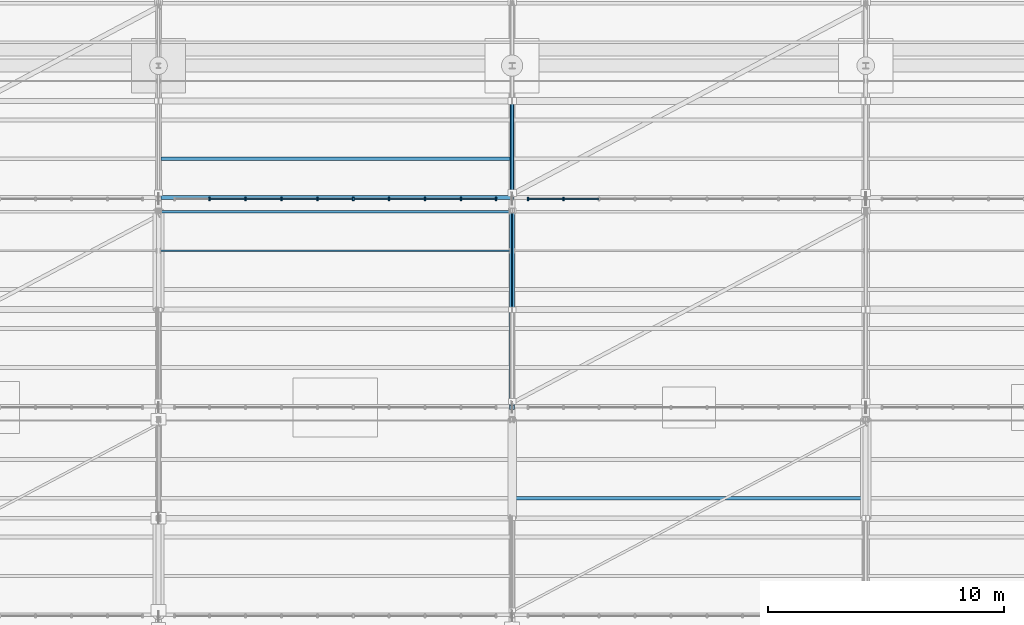
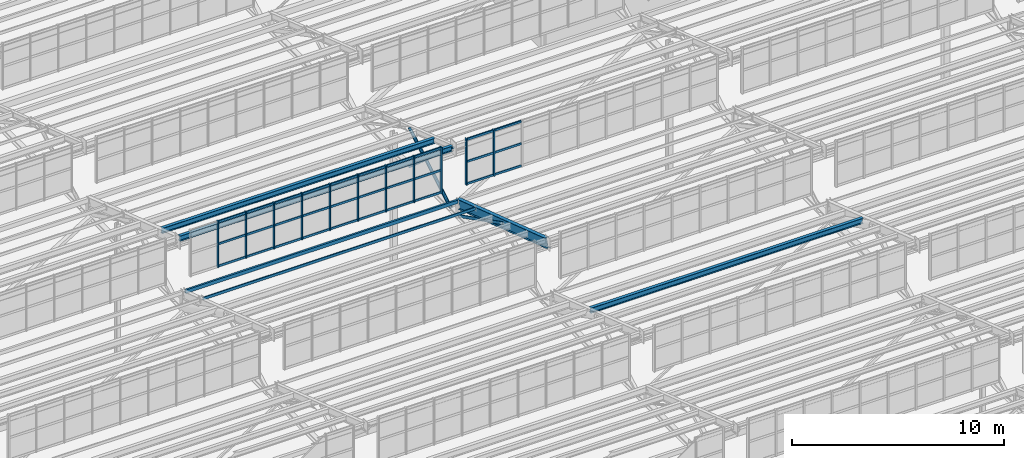
# One storey, part 69 of 285: 44 members, 6 beams, 2 elements without a shape of their own.
"""IFC4 building model written with IfcOpenShell, lengths in metres."""

from ifc_helpers import new_model, si_unit, direction, frame, origin, origin_2d, place, context, subcontext, project, spatial, rectangle, hollow_rectangle, hollow_circle, i_section, extrude, material, material_profile, profile_set, type_object, element, aggregate, save


model = new_model("IFC4")

# Units and contexts
model_context = context("Model", 3, precision=1e-05, world=origin(), true_north=direction((0.0, 1.0)))
body_context = subcontext(model_context, "Body", "Model", "MODEL_VIEW")
ifc_project = project(units=[si_unit("LENGTHUNIT", "METRE"), si_unit("AREAUNIT", "SQUARE_METRE"), si_unit("VOLUMEUNIT", "CUBIC_METRE"), si_unit("PLANEANGLEUNIT", "RADIAN"), si_unit("MASSUNIT", "GRAM", prefix="KILO")], contexts=[model_context])

# Site, building, storey
site_placement = place(None, origin())
site = spatial("IfcSite", under=ifc_project, at=site_placement, CompositionType="ELEMENT")
building_placement = place(site_placement, origin())
building = spatial("IfcBuilding", under=site, at=building_placement, Name="Solanera Park Tramway Depot", CompositionType="ELEMENT")
storey_placement = place(building_placement, origin())
storey = spatial("IfcBuildingStorey", under=building, at=storey_placement, Name="L00", CompositionType="ELEMENT", Elevation=0.0)

# Curtain wall, members
ifc_material_1 = material(Name="Bronze-anodised thermally broken aluminium curtain wall", Category="aluminium")
curtain_wall_type = type_object("IfcCurtainWallType", Name="Sawtooth Clerestory Monitor Curtain Wall", PredefinedType="NOTDEFINED", material=ifc_material_1)
curtain_wall_1_placement = place(storey_placement, origin())
curtain_wall_1 = element("IfcCurtainWall", 1, at=curtain_wall_1_placement, inside=storey, type_object=curtain_wall_type, Name="L00 Sawtooth Clerestory Monitor Curtain Wall #045", PredefinedType="NOTDEFINED")
ifc_material_2 = material(Name="Bronze-anodised structural aluminium 6063-T6", Category="aluminium")
ifc_material_profile_1 = material_profile(ifc_material_2, rectangle(XDim=0.06494140625, YDim=0.14990234375, at=origin_2d()), Name="Curtain Wall Mullion 65x150")
ifc_profile_set_1 = profile_set([ifc_material_profile_1], Name="Bronze-anodised structural aluminium 6063-T6")
member_type_1 = type_object("IfcMemberType", Name="Curtain Wall Mullion 65x150", PredefinedType="MULLION", material=ifc_profile_set_1)
member_1_placement = place(storey_placement, frame((32.172119140625, 108.85009765625, 7.75), z_axis=(0.0, 0.0, 1.0), x_axis=(1.0, 0.0, 0.0)))
member_1 = element("IfcMember", 2, at=member_1_placement, type_object=member_type_1, Name="CW-L00-045 Mullion 2", PredefinedType="MULLION", context=body_context, shape_type="SweptSolid", body=[
    extrude(rectangle(XDim=0.06494140625, YDim=0.14990234375, at=origin_2d()), origin(), (0.0, 0.0, 1.0), 2.6611328125),
])
member_2_placement = place(storey_placement, frame((33.6943359375, 108.85009765625, 7.75), z_axis=(0.0, 0.0, 1.0), x_axis=(1.0, 0.0, 0.0)))
member_2 = element("IfcMember", 3, at=member_2_placement, type_object=member_type_1, Name="CW-L00-045 Mullion 3", PredefinedType="MULLION", context=body_context, shape_type="SweptSolid", body=[
    extrude(rectangle(XDim=0.06494140625, YDim=0.14990234375, at=origin_2d()), origin(), (0.0, 0.0, 1.0), 2.6611328125),
])
member_3_placement = place(storey_placement, frame((35.216796875, 108.85009765625, 7.75), z_axis=(0.0, 0.0, 1.0), x_axis=(1.0, 0.0, 0.0)))
member_3 = element("IfcMember", 4, at=member_3_placement, type_object=member_type_1, Name="CW-L00-045 Mullion 4", PredefinedType="MULLION", context=body_context, shape_type="SweptSolid", body=[
    extrude(rectangle(XDim=0.06494140625, YDim=0.14990234375, at=origin_2d()), origin(), (0.0, 0.0, 1.0), 2.6611328125),
])
member_4_placement = place(storey_placement, frame((36.739013671875, 108.85009765625, 7.75), z_axis=(0.0, 0.0, 1.0), x_axis=(1.0, 0.0, 0.0)))
member_4 = element("IfcMember", 5, at=member_4_placement, type_object=member_type_1, Name="CW-L00-045 Mullion 5", PredefinedType="MULLION", context=body_context, shape_type="SweptSolid", body=[
    extrude(rectangle(XDim=0.06494140625, YDim=0.14990234375, at=origin_2d()), origin(), (0.0, 0.0, 1.0), 2.6611328125),
])
member_5_placement = place(storey_placement, frame((38.260986328125, 108.85009765625, 7.75), z_axis=(0.0, 0.0, 1.0), x_axis=(1.0, 0.0, 0.0)))
member_5 = element("IfcMember", 6, at=member_5_placement, type_object=member_type_1, Name="CW-L00-045 Mullion 6", PredefinedType="MULLION", context=body_context, shape_type="SweptSolid", body=[
    extrude(rectangle(XDim=0.06494140625, YDim=0.14990234375, at=origin_2d()), origin(), (0.0, 0.0, 1.0), 2.6611328125),
])
member_6_placement = place(storey_placement, frame((39.783203125, 108.85009765625, 7.75), z_axis=(0.0, 0.0, 1.0), x_axis=(1.0, 0.0, 0.0)))
member_6 = element("IfcMember", 7, at=member_6_placement, type_object=member_type_1, Name="CW-L00-045 Mullion 7", PredefinedType="MULLION", context=body_context, shape_type="SweptSolid", body=[
    extrude(rectangle(XDim=0.06494140625, YDim=0.14990234375, at=origin_2d()), origin(), (0.0, 0.0, 1.0), 2.6611328125),
])
member_7_placement = place(storey_placement, frame((41.3056640625, 108.85009765625, 7.75), z_axis=(0.0, 0.0, 1.0), x_axis=(1.0, 0.0, 0.0)))
member_7 = element("IfcMember", 8, at=member_7_placement, type_object=member_type_1, Name="CW-L00-045 Mullion 8", PredefinedType="MULLION", context=body_context, shape_type="SweptSolid", body=[
    extrude(rectangle(XDim=0.06494140625, YDim=0.14990234375, at=origin_2d()), origin(), (0.0, 0.0, 1.0), 2.6611328125),
])
member_8_placement = place(storey_placement, frame((42.827880859375, 108.85009765625, 7.75), z_axis=(0.0, 0.0, 1.0), x_axis=(1.0, 0.0, 0.0)))
member_8 = element("IfcMember", 9, at=member_8_placement, type_object=member_type_1, Name="CW-L00-045 Mullion 9", PredefinedType="MULLION", context=body_context, shape_type="SweptSolid", body=[
    extrude(rectangle(XDim=0.06494140625, YDim=0.14990234375, at=origin_2d()), origin(), (0.0, 0.0, 1.0), 2.6611328125),
])
member_9_placement = place(storey_placement, frame((44.3173828125, 108.85009765625, 7.75), z_axis=(0.0, 0.0, 1.0), x_axis=(1.0, 0.0, 0.0)))
member_9 = element("IfcMember", 10, at=member_9_placement, type_object=member_type_1, Name="CW-L00-045 Mullion 10", PredefinedType="MULLION", context=body_context, shape_type="SweptSolid", body=[
    extrude(rectangle(XDim=0.06494140625, YDim=0.14990234375, at=origin_2d()), origin(), (0.0, 0.0, 1.0), 2.6611328125),
])

curtain_wall_2_placement = place(storey_placement, origin())
curtain_wall_2 = element("IfcCurtainWall", 11, at=curtain_wall_2_placement, inside=storey, type_object=curtain_wall_type, Name="L00 Sawtooth Clerestory Monitor Curtain Wall #046", PredefinedType="NOTDEFINED")
member_10_placement = place(storey_placement, frame((45.6826171875, 108.85009765625, 7.75), z_axis=(0.0, 0.0, 1.0), x_axis=(1.0, 0.0, 0.0)))
member_10 = element("IfcMember", 12, at=member_10_placement, type_object=member_type_1, Name="CW-L00-046 Mullion 1", PredefinedType="MULLION", context=body_context, shape_type="SweptSolid", body=[
    extrude(rectangle(XDim=0.06494140625, YDim=0.14990234375, at=origin_2d()), origin(), (0.0, 0.0, 1.0), 2.6611328125),
])
member_11_placement = place(storey_placement, frame((47.172119140625, 108.85009765625, 7.75), z_axis=(0.0, 0.0, 1.0), x_axis=(1.0, 0.0, 0.0)))
member_11 = element("IfcMember", 13, at=member_11_placement, type_object=member_type_1, Name="CW-L00-046 Mullion 2", PredefinedType="MULLION", context=body_context, shape_type="SweptSolid", body=[
    extrude(rectangle(XDim=0.06494140625, YDim=0.14990234375, at=origin_2d()), origin(), (0.0, 0.0, 1.0), 2.6611328125),
])

# Member
ifc_material_3 = material(Name="Bronze-anodised structural aluminium 6063-T6", Category="aluminium")
ifc_material_profile_2 = material_profile(ifc_material_3, rectangle(XDim=0.06494140625, YDim=0.1201171875, at=origin_2d()), Name="Curtain Wall Transom 65x120")
ifc_profile_set_2 = profile_set([ifc_material_profile_2], Name="Bronze-anodised structural aluminium 6063-T6")
member_type_2 = type_object("IfcMemberType", Name="Curtain Wall Transom 65x120", PredefinedType="USERDEFINED", material=ifc_profile_set_2)
member_12_placement = place(storey_placement, frame((32.2001953125, 108.85009765625, 7.81005859375), z_axis=(1.0, 0.0, 0.0), x_axis=(0.0, 1.0, 0.0)))
member_12 = element("IfcMember", 14, at=member_12_placement, type_object=member_type_2, Name="CW-L00-045 Transom R1.C2", ObjectType="TRANSOM", PredefinedType="USERDEFINED", context=body_context, shape_type="SweptSolid", body=[
    extrude(rectangle(XDim=0.06494140625, YDim=0.1201171875, at=origin_2d()), origin(), (0.0, 0.0, 1.0), 1.46630859375),
])

member_13_placement = place(storey_placement, frame((33.722412109375, 108.85009765625, 7.81005859375), z_axis=(1.0, 0.0, 0.0), x_axis=(0.0, 1.0, 0.0)))
member_13 = element("IfcMember", 15, at=member_13_placement, type_object=member_type_2, Name="CW-L00-045 Transom R1.C3", ObjectType="TRANSOM", PredefinedType="USERDEFINED", context=body_context, shape_type="SweptSolid", body=[
    extrude(rectangle(XDim=0.06494140625, YDim=0.1201171875, at=origin_2d()), origin(), (0.0, 0.0, 1.0), 1.46630859375),
])

member_14_placement = place(storey_placement, frame((35.24462890625, 108.85009765625, 7.81005859375), z_axis=(1.0, 0.0, 0.0), x_axis=(0.0, 1.0, 0.0)))
member_14 = element("IfcMember", 16, at=member_14_placement, type_object=member_type_2, Name="CW-L00-045 Transom R1.C4", ObjectType="TRANSOM", PredefinedType="USERDEFINED", context=body_context, shape_type="SweptSolid", body=[
    extrude(rectangle(XDim=0.06494140625, YDim=0.1201171875, at=origin_2d()), origin(), (0.0, 0.0, 1.0), 1.46630859375),
])

member_15_placement = place(storey_placement, frame((36.766845703125, 108.85009765625, 7.81005859375), z_axis=(1.0, 0.0, 0.0), x_axis=(0.0, 1.0, 0.0)))
member_15 = element("IfcMember", 17, at=member_15_placement, type_object=member_type_2, Name="CW-L00-045 Transom R1.C5", ObjectType="TRANSOM", PredefinedType="USERDEFINED", context=body_context, shape_type="SweptSolid", body=[
    extrude(rectangle(XDim=0.06494140625, YDim=0.1201171875, at=origin_2d()), origin(), (0.0, 0.0, 1.0), 1.46630859375),
])

member_16_placement = place(storey_placement, frame((38.2890625, 108.85009765625, 7.81005859375), z_axis=(1.0, 0.0, 0.0), x_axis=(0.0, 1.0, 0.0)))
member_16 = element("IfcMember", 18, at=member_16_placement, type_object=member_type_2, Name="CW-L00-045 Transom R1.C6", ObjectType="TRANSOM", PredefinedType="USERDEFINED", context=body_context, shape_type="SweptSolid", body=[
    extrude(rectangle(XDim=0.06494140625, YDim=0.1201171875, at=origin_2d()), origin(), (0.0, 0.0, 1.0), 1.46630859375),
])

member_17_placement = place(storey_placement, frame((39.811279296875, 108.85009765625, 7.81005859375), z_axis=(1.0, 0.0, 0.0), x_axis=(0.0, 1.0, 0.0)))
member_17 = element("IfcMember", 19, at=member_17_placement, type_object=member_type_2, Name="CW-L00-045 Transom R1.C7", ObjectType="TRANSOM", PredefinedType="USERDEFINED", context=body_context, shape_type="SweptSolid", body=[
    extrude(rectangle(XDim=0.06494140625, YDim=0.1201171875, at=origin_2d()), origin(), (0.0, 0.0, 1.0), 1.46630859375),
])

member_18_placement = place(storey_placement, frame((41.33349609375, 108.85009765625, 7.81005859375), z_axis=(1.0, 0.0, 0.0), x_axis=(0.0, 1.0, 0.0)))
member_18 = element("IfcMember", 20, at=member_18_placement, type_object=member_type_2, Name="CW-L00-045 Transom R1.C8", ObjectType="TRANSOM", PredefinedType="USERDEFINED", context=body_context, shape_type="SweptSolid", body=[
    extrude(rectangle(XDim=0.06494140625, YDim=0.1201171875, at=origin_2d()), origin(), (0.0, 0.0, 1.0), 1.46630859375),
])

member_19_placement = place(storey_placement, frame((42.855712890625, 108.85009765625, 7.81005859375), z_axis=(1.0, 0.0, 0.0), x_axis=(0.0, 1.0, 0.0)))
member_19 = element("IfcMember", 21, at=member_19_placement, type_object=member_type_2, Name="CW-L00-045 Transom R1.C9", ObjectType="TRANSOM", PredefinedType="USERDEFINED", context=body_context, shape_type="SweptSolid", body=[
    extrude(rectangle(XDim=0.06494140625, YDim=0.1201171875, at=origin_2d()), origin(), (0.0, 0.0, 1.0), 1.433837890625),
])

member_20_placement = place(storey_placement, frame((32.2001953125, 108.85009765625, 9.08056640625), z_axis=(1.0, 0.0, 0.0), x_axis=(0.0, 1.0, 0.0)))
member_20 = element("IfcMember", 22, at=member_20_placement, type_object=member_type_2, Name="CW-L00-045 Transom R2.C2", ObjectType="TRANSOM", PredefinedType="USERDEFINED", context=body_context, shape_type="SweptSolid", body=[
    extrude(rectangle(XDim=0.06494140625, YDim=0.1201171875, at=origin_2d()), origin(), (0.0, 0.0, 1.0), 1.46630859375),
])

member_21_placement = place(storey_placement, frame((33.722412109375, 108.85009765625, 9.08056640625), z_axis=(1.0, 0.0, 0.0), x_axis=(0.0, 1.0, 0.0)))
member_21 = element("IfcMember", 23, at=member_21_placement, type_object=member_type_2, Name="CW-L00-045 Transom R2.C3", ObjectType="TRANSOM", PredefinedType="USERDEFINED", context=body_context, shape_type="SweptSolid", body=[
    extrude(rectangle(XDim=0.06494140625, YDim=0.1201171875, at=origin_2d()), origin(), (0.0, 0.0, 1.0), 1.46630859375),
])

member_22_placement = place(storey_placement, frame((35.24462890625, 108.85009765625, 9.08056640625), z_axis=(1.0, 0.0, 0.0), x_axis=(0.0, 1.0, 0.0)))
member_22 = element("IfcMember", 24, at=member_22_placement, type_object=member_type_2, Name="CW-L00-045 Transom R2.C4", ObjectType="TRANSOM", PredefinedType="USERDEFINED", context=body_context, shape_type="SweptSolid", body=[
    extrude(rectangle(XDim=0.06494140625, YDim=0.1201171875, at=origin_2d()), origin(), (0.0, 0.0, 1.0), 1.46630859375),
])

member_23_placement = place(storey_placement, frame((36.766845703125, 108.85009765625, 9.08056640625), z_axis=(1.0, 0.0, 0.0), x_axis=(0.0, 1.0, 0.0)))
member_23 = element("IfcMember", 25, at=member_23_placement, type_object=member_type_2, Name="CW-L00-045 Transom R2.C5", ObjectType="TRANSOM", PredefinedType="USERDEFINED", context=body_context, shape_type="SweptSolid", body=[
    extrude(rectangle(XDim=0.06494140625, YDim=0.1201171875, at=origin_2d()), origin(), (0.0, 0.0, 1.0), 1.46630859375),
])

member_24_placement = place(storey_placement, frame((38.2890625, 108.85009765625, 9.08056640625), z_axis=(1.0, 0.0, 0.0), x_axis=(0.0, 1.0, 0.0)))
member_24 = element("IfcMember", 26, at=member_24_placement, type_object=member_type_2, Name="CW-L00-045 Transom R2.C6", ObjectType="TRANSOM", PredefinedType="USERDEFINED", context=body_context, shape_type="SweptSolid", body=[
    extrude(rectangle(XDim=0.06494140625, YDim=0.1201171875, at=origin_2d()), origin(), (0.0, 0.0, 1.0), 1.46630859375),
])

member_25_placement = place(storey_placement, frame((39.811279296875, 108.85009765625, 9.08056640625), z_axis=(1.0, 0.0, 0.0), x_axis=(0.0, 1.0, 0.0)))
member_25 = element("IfcMember", 27, at=member_25_placement, type_object=member_type_2, Name="CW-L00-045 Transom R2.C7", ObjectType="TRANSOM", PredefinedType="USERDEFINED", context=body_context, shape_type="SweptSolid", body=[
    extrude(rectangle(XDim=0.06494140625, YDim=0.1201171875, at=origin_2d()), origin(), (0.0, 0.0, 1.0), 1.46630859375),
])

member_26_placement = place(storey_placement, frame((41.33349609375, 108.85009765625, 9.08056640625), z_axis=(1.0, 0.0, 0.0), x_axis=(0.0, 1.0, 0.0)))
member_26 = element("IfcMember", 28, at=member_26_placement, type_object=member_type_2, Name="CW-L00-045 Transom R2.C8", ObjectType="TRANSOM", PredefinedType="USERDEFINED", context=body_context, shape_type="SweptSolid", body=[
    extrude(rectangle(XDim=0.06494140625, YDim=0.1201171875, at=origin_2d()), origin(), (0.0, 0.0, 1.0), 1.46630859375),
])

member_27_placement = place(storey_placement, frame((42.855712890625, 108.85009765625, 9.08056640625), z_axis=(1.0, 0.0, 0.0), x_axis=(0.0, 1.0, 0.0)))
member_27 = element("IfcMember", 29, at=member_27_placement, type_object=member_type_2, Name="CW-L00-045 Transom R2.C9", ObjectType="TRANSOM", PredefinedType="USERDEFINED", context=body_context, shape_type="SweptSolid", body=[
    extrude(rectangle(XDim=0.06494140625, YDim=0.1201171875, at=origin_2d()), origin(), (0.0, 0.0, 1.0), 1.433837890625),
])

member_28_placement = place(storey_placement, frame((32.2001953125, 108.85009765625, 10.351318359375), z_axis=(1.0, 0.0, 0.0), x_axis=(0.0, 1.0, 0.0)))
member_28 = element("IfcMember", 30, at=member_28_placement, type_object=member_type_2, Name="CW-L00-045 Transom R3.C2", ObjectType="TRANSOM", PredefinedType="USERDEFINED", context=body_context, shape_type="SweptSolid", body=[
    extrude(rectangle(XDim=0.06494140625, YDim=0.1201171875, at=origin_2d()), origin(), (0.0, 0.0, 1.0), 1.46630859375),
])

member_29_placement = place(storey_placement, frame((33.722412109375, 108.85009765625, 10.351318359375), z_axis=(1.0, 0.0, 0.0), x_axis=(0.0, 1.0, 0.0)))
member_29 = element("IfcMember", 31, at=member_29_placement, type_object=member_type_2, Name="CW-L00-045 Transom R3.C3", ObjectType="TRANSOM", PredefinedType="USERDEFINED", context=body_context, shape_type="SweptSolid", body=[
    extrude(rectangle(XDim=0.06494140625, YDim=0.1201171875, at=origin_2d()), origin(), (0.0, 0.0, 1.0), 1.46630859375),
])

member_30_placement = place(storey_placement, frame((35.24462890625, 108.85009765625, 10.351318359375), z_axis=(1.0, 0.0, 0.0), x_axis=(0.0, 1.0, 0.0)))
member_30 = element("IfcMember", 32, at=member_30_placement, type_object=member_type_2, Name="CW-L00-045 Transom R3.C4", ObjectType="TRANSOM", PredefinedType="USERDEFINED", context=body_context, shape_type="SweptSolid", body=[
    extrude(rectangle(XDim=0.06494140625, YDim=0.1201171875, at=origin_2d()), origin(), (0.0, 0.0, 1.0), 1.46630859375),
])

member_31_placement = place(storey_placement, frame((36.766845703125, 108.85009765625, 10.351318359375), z_axis=(1.0, 0.0, 0.0), x_axis=(0.0, 1.0, 0.0)))
member_31 = element("IfcMember", 33, at=member_31_placement, type_object=member_type_2, Name="CW-L00-045 Transom R3.C5", ObjectType="TRANSOM", PredefinedType="USERDEFINED", context=body_context, shape_type="SweptSolid", body=[
    extrude(rectangle(XDim=0.06494140625, YDim=0.1201171875, at=origin_2d()), origin(), (0.0, 0.0, 1.0), 1.46630859375),
])

member_32_placement = place(storey_placement, frame((38.2890625, 108.85009765625, 10.351318359375), z_axis=(1.0, 0.0, 0.0), x_axis=(0.0, 1.0, 0.0)))
member_32 = element("IfcMember", 34, at=member_32_placement, type_object=member_type_2, Name="CW-L00-045 Transom R3.C6", ObjectType="TRANSOM", PredefinedType="USERDEFINED", context=body_context, shape_type="SweptSolid", body=[
    extrude(rectangle(XDim=0.06494140625, YDim=0.1201171875, at=origin_2d()), origin(), (0.0, 0.0, 1.0), 1.46630859375),
])

member_33_placement = place(storey_placement, frame((39.811279296875, 108.85009765625, 10.351318359375), z_axis=(1.0, 0.0, 0.0), x_axis=(0.0, 1.0, 0.0)))
member_33 = element("IfcMember", 35, at=member_33_placement, type_object=member_type_2, Name="CW-L00-045 Transom R3.C7", ObjectType="TRANSOM", PredefinedType="USERDEFINED", context=body_context, shape_type="SweptSolid", body=[
    extrude(rectangle(XDim=0.06494140625, YDim=0.1201171875, at=origin_2d()), origin(), (0.0, 0.0, 1.0), 1.46630859375),
])

member_34_placement = place(storey_placement, frame((41.33349609375, 108.85009765625, 10.351318359375), z_axis=(1.0, 0.0, 0.0), x_axis=(0.0, 1.0, 0.0)))
member_34 = element("IfcMember", 36, at=member_34_placement, type_object=member_type_2, Name="CW-L00-045 Transom R3.C8", ObjectType="TRANSOM", PredefinedType="USERDEFINED", context=body_context, shape_type="SweptSolid", body=[
    extrude(rectangle(XDim=0.06494140625, YDim=0.1201171875, at=origin_2d()), origin(), (0.0, 0.0, 1.0), 1.46630859375),
])

member_35_placement = place(storey_placement, frame((42.855712890625, 108.85009765625, 10.351318359375), z_axis=(1.0, 0.0, 0.0), x_axis=(0.0, 1.0, 0.0)))
member_35 = element("IfcMember", 37, at=member_35_placement, type_object=member_type_2, Name="CW-L00-045 Transom R3.C9", ObjectType="TRANSOM", PredefinedType="USERDEFINED", context=body_context, shape_type="SweptSolid", body=[
    extrude(rectangle(XDim=0.06494140625, YDim=0.1201171875, at=origin_2d()), origin(), (0.0, 0.0, 1.0), 1.433837890625),
])

aggregate(curtain_wall_1, [member_1, member_2, member_3, member_4, member_5, member_6, member_7, member_8, member_9, member_12, member_13, member_14, member_15, member_16, member_17, member_18, member_19, member_20, member_21, member_22, member_23, member_24, member_25, member_26, member_27, member_28, member_29, member_30, member_31, member_32, member_33, member_34, member_35])

member_36_placement = place(storey_placement, frame((45.71044921875, 108.85009765625, 7.81005859375), z_axis=(1.0, 0.0, 0.0), x_axis=(0.0, 1.0, 0.0)))
member_36 = element("IfcMember", 38, at=member_36_placement, type_object=member_type_2, Name="CW-L00-046 Transom R1.C1", ObjectType="TRANSOM", PredefinedType="USERDEFINED", context=body_context, shape_type="SweptSolid", body=[
    extrude(rectangle(XDim=0.06494140625, YDim=0.1201171875, at=origin_2d()), origin(), (0.0, 0.0, 1.0), 1.433837890625),
])

member_37_placement = place(storey_placement, frame((47.2001953125, 108.85009765625, 7.81005859375), z_axis=(1.0, 0.0, 0.0), x_axis=(0.0, 1.0, 0.0)))
member_37 = element("IfcMember", 39, at=member_37_placement, type_object=member_type_2, Name="CW-L00-046 Transom R1.C2", ObjectType="TRANSOM", PredefinedType="USERDEFINED", context=body_context, shape_type="SweptSolid", body=[
    extrude(rectangle(XDim=0.06494140625, YDim=0.1201171875, at=origin_2d()), origin(), (0.0, 0.0, 1.0), 1.46630859375),
])

member_38_placement = place(storey_placement, frame((45.71044921875, 108.85009765625, 9.08056640625), z_axis=(1.0, 0.0, 0.0), x_axis=(0.0, 1.0, 0.0)))
member_38 = element("IfcMember", 40, at=member_38_placement, type_object=member_type_2, Name="CW-L00-046 Transom R2.C1", ObjectType="TRANSOM", PredefinedType="USERDEFINED", context=body_context, shape_type="SweptSolid", body=[
    extrude(rectangle(XDim=0.06494140625, YDim=0.1201171875, at=origin_2d()), origin(), (0.0, 0.0, 1.0), 1.433837890625),
])

member_39_placement = place(storey_placement, frame((47.2001953125, 108.85009765625, 9.08056640625), z_axis=(1.0, 0.0, 0.0), x_axis=(0.0, 1.0, 0.0)))
member_39 = element("IfcMember", 41, at=member_39_placement, type_object=member_type_2, Name="CW-L00-046 Transom R2.C2", ObjectType="TRANSOM", PredefinedType="USERDEFINED", context=body_context, shape_type="SweptSolid", body=[
    extrude(rectangle(XDim=0.06494140625, YDim=0.1201171875, at=origin_2d()), origin(), (0.0, 0.0, 1.0), 1.46630859375),
])

member_40_placement = place(storey_placement, frame((45.71044921875, 108.85009765625, 10.351318359375), z_axis=(1.0, 0.0, 0.0), x_axis=(0.0, 1.0, 0.0)))
member_40 = element("IfcMember", 42, at=member_40_placement, type_object=member_type_2, Name="CW-L00-046 Transom R3.C1", ObjectType="TRANSOM", PredefinedType="USERDEFINED", context=body_context, shape_type="SweptSolid", body=[
    extrude(rectangle(XDim=0.06494140625, YDim=0.1201171875, at=origin_2d()), origin(), (0.0, 0.0, 1.0), 1.433837890625),
])

member_41_placement = place(storey_placement, frame((47.2001953125, 108.85009765625, 10.351318359375), z_axis=(1.0, 0.0, 0.0), x_axis=(0.0, 1.0, 0.0)))
member_41 = element("IfcMember", 43, at=member_41_placement, type_object=member_type_2, Name="CW-L00-046 Transom R3.C2", ObjectType="TRANSOM", PredefinedType="USERDEFINED", context=body_context, shape_type="SweptSolid", body=[
    extrude(rectangle(XDim=0.06494140625, YDim=0.1201171875, at=origin_2d()), origin(), (0.0, 0.0, 1.0), 1.46630859375),
])

aggregate(curtain_wall_2, [member_10, member_11, member_36, member_37, member_38, member_39, member_40, member_41])

ifc_material_4 = material(Name="Steel AS/NZS 1163 Grade C350L0", Category="steel")
ifc_material_profile_3 = material_profile(ifc_material_4, hollow_circle(Radius=0.084228515625, WallThickness=0.00634765625, at=origin_2d()), Name="168.3x6.4 CHS")
ifc_profile_set_3 = profile_set([ifc_material_profile_3], Name="Steel AS/NZS 1163 Grade C350L0")
member_type_3 = type_object("IfcMemberType", Name="Roof Gantry Compression Strut 168.3x6.4 CHS", PredefinedType="STRUT", material=ifc_profile_set_3)
member_42_placement = place(storey_placement, frame((45.0, 109.10009765625, 6.5), z_axis=(0.0, 0.866884023838, 0.498509868723), x_axis=(-1.0, 0.0, 0.0)))
element("IfcMember", 44, at=member_42_placement, inside=storey, type_object=member_type_3, Name="Sawtooth ROOF TRUSS Strut 168.3x6.4 CHS #0284", PredefinedType="STRUT", context=body_context, shape_type="SweptSolid", body=[
    extrude(hollow_circle(Radius=0.084228515625, WallThickness=0.00634765625, at=origin_2d()), origin(), (0.0, 0.0, 1.0), 4.498779296875),
])

# Beams
ifc_material_5 = material(Name="Steel AS/NZS 3679.1 Grade 350", Category="steel")
ifc_material_profile_4 = material_profile(ifc_material_5, i_section(OverallWidth=0.209228515625, OverallDepth=0.532958984375, WebThickness=0.01025390625, FlangeThickness=0.015625, at=origin_2d()), Name="530UB92.4")
ifc_profile_set_4 = profile_set([ifc_material_profile_4], Name="Steel AS/NZS 3679.1 Grade 350")
beam_type_1 = type_object("IfcBeamType", Name="Steel Beam 530UB92.4", PredefinedType="BEAM", material=ifc_profile_set_4)
beam_1_placement = place(storey_placement, frame((45.0, 100.0, 10.018310546875), z_axis=(0.0, 0.948322229475, -0.317308917435), x_axis=(-1.0, 0.0, 0.0)))
element("IfcBeam", 45, at=beam_1_placement, inside=storey, type_object=beam_type_1, Name="Sawtooth ROOF TRUSS Top Rafter 530UB92.4 B06-T4", PredefinedType="BEAM", context=body_context, shape_type="SweptSolid", body=[
    extrude(i_section(OverallWidth=0.209228515625, OverallDepth=0.532958984375, WebThickness=0.01025390625, FlangeThickness=0.015625, at=origin_2d()), origin(), (0.0, 0.0, 1.0), 8.80517578125),
])
ifc_material_6 = material(Name="Steel AS/NZS 1163 Grade C350L0", Category="steel")
ifc_material_profile_5 = material_profile(ifc_material_6, hollow_rectangle(XDim=0.050048828125, YDim=0.14990234375, WallThickness=0.0048828125, at=origin_2d()), Name="150x50x5.0 RHS")
ifc_profile_set_5 = profile_set([ifc_material_profile_5], Name="Steel AS/NZS 1163 Grade C350L0")
beam_type_2 = type_object("IfcBeamType", Name="Steel Joist Purlin 150x50x5.0 RHS", PredefinedType="JOIST", material=ifc_profile_set_5)
beam_2_placement = place(storey_placement, frame((30.087158203125, 106.64990234375, 7.998291015625), z_axis=(1.0, 0.0, 0.0), x_axis=(0.0, 1.0, 0.0)))
element("IfcBeam", 46, at=beam_2_placement, inside=storey, type_object=beam_type_2, Name="Sawtooth Roof Purlin 150x50x5.0 RHS B06.5", PredefinedType="JOIST", context=body_context, shape_type="SweptSolid", body=[
    extrude(hollow_rectangle(XDim=0.050048828125, YDim=0.14990234375, WallThickness=0.0048828125, at=origin_2d()), origin(), (0.0, 0.0, 1.0), 14.816162109375),
])
ifc_material_7 = material(Name="Steel AS/NZS 1163 Grade C350L0", Category="steel")
ifc_material_profile_6 = material_profile(ifc_material_7, hollow_rectangle(XDim=0.10009765625, YDim=0.199951171875, WallThickness=0.006103515625, at=origin_2d()), Name="200x100x6.0 RHS")
ifc_profile_set_6 = profile_set([ifc_material_profile_6], Name="Steel AS/NZS 1163 Grade C350L0")
beam_type_3 = type_object("IfcBeamType", Name="Steel Joist Purlin 200x100x6.0 RHS", PredefinedType="JOIST", material=ifc_profile_set_6)
beam_3_placement = place(storey_placement, frame((30.087158203125, 108.300048828125, 7.412841796875), z_axis=(1.0, 0.0, 0.0), x_axis=(0.0, 1.0, 0.0)))
element("IfcBeam", 47, at=beam_3_placement, inside=storey, type_object=beam_type_3, Name="Sawtooth Roof Purlin 200x100x6.0 RHS B06.6", PredefinedType="JOIST", context=body_context, shape_type="SweptSolid", body=[
    extrude(hollow_rectangle(XDim=0.10009765625, YDim=0.199951171875, WallThickness=0.006103515625, at=origin_2d()), origin(), (0.0, 0.0, 1.0), 14.816162109375),
])
ifc_material_8 = material(Name="Steel AS/NZS 3679.1 Grade 350", Category="steel")
ifc_material_profile_7 = material_profile(ifc_material_8, i_section(OverallWidth=0.1650390625, OverallDepth=0.3037109375, WebThickness=0.006103515625, FlangeThickness=0.01025390625, at=origin_2d()), Name="310UB40.4")
ifc_profile_set_7 = profile_set([ifc_material_profile_7], Name="Steel AS/NZS 3679.1 Grade 350")
beam_type_4 = type_object("IfcBeamType", Name="Steel Joist Purlin 310UB40.4", PredefinedType="JOIST", material=ifc_profile_set_7)
beam_4_placement = place(storey_placement, frame((30.0966796875, 108.89990234375, 10.110595703125), z_axis=(1.0, 0.0, 0.0), x_axis=(0.0, 1.0, 0.0)))
element("IfcBeam", 48, at=beam_4_placement, inside=storey, type_object=beam_type_4, Name="Sawtooth Roof Purlin 310UB40.4 B07.1", PredefinedType="JOIST", context=body_context, shape_type="SweptSolid", body=[
    extrude(i_section(OverallWidth=0.1650390625, OverallDepth=0.3037109375, WebThickness=0.006103515625, FlangeThickness=0.01025390625, at=origin_2d()), origin(), (0.0, 0.0, 1.0), 14.828369140625),
])
ifc_material_9 = material(Name="Steel AS/NZS 3679.1 Grade 350", Category="steel")
ifc_material_profile_8 = material_profile(ifc_material_9, i_section(OverallWidth=0.166015625, OverallDepth=0.30712890625, WebThickness=0.006591796875, FlangeThickness=0.01171875, at=origin_2d()), Name="310UB46.2")
ifc_profile_set_8 = profile_set([ifc_material_profile_8], Name="Steel AS/NZS 3679.1 Grade 350")
beam_type_5 = type_object("IfcBeamType", Name="Steel Joist Purlin 310UB46.2", PredefinedType="JOIST", material=ifc_profile_set_8)
beam_5_placement = place(storey_placement, frame((45.087158203125, 96.14990234375, 8.452392578125), z_axis=(1.0, 0.0, 0.0), x_axis=(0.0, 1.0, 0.0)))
element("IfcBeam", 49, at=beam_5_placement, inside=storey, type_object=beam_type_5, Name="Sawtooth Roof Purlin 310UB46.2 B05.4", PredefinedType="JOIST", context=body_context, shape_type="SweptSolid", body=[
    extrude(i_section(OverallWidth=0.166015625, OverallDepth=0.30712890625, WebThickness=0.006591796875, FlangeThickness=0.01171875, at=origin_2d()), origin(), (0.0, 0.0, 1.0), 14.816162109375),
])
beam_6_placement = place(storey_placement, frame((30.0966796875, 110.550048828125, 9.556640625), z_axis=(1.0, 0.0, 0.0), x_axis=(0.0, 1.0, 0.0)))
element("IfcBeam", 50, at=beam_6_placement, inside=storey, type_object=beam_type_5, Name="Sawtooth Roof Purlin 310UB46.2 B07.2", PredefinedType="JOIST", context=body_context, shape_type="SweptSolid", body=[
    extrude(i_section(OverallWidth=0.166015625, OverallDepth=0.30712890625, WebThickness=0.006591796875, FlangeThickness=0.01171875, at=origin_2d()), origin(), (0.0, 0.0, 1.0), 14.828369140625),
])

# Members
ifc_material_10 = material(Name="Steel AS/NZS 1163 Grade C350L0", Category="steel")
ifc_material_profile_9 = material_profile(ifc_material_10, hollow_rectangle(XDim=0.10009765625, YDim=0.10009765625, WallThickness=0.0048828125, at=origin_2d()), Name="100x100x5.0 SHS")
ifc_profile_set_9 = profile_set([ifc_material_profile_9], Name="Steel AS/NZS 1163 Grade C350L0")
member_type_4 = type_object("IfcMemberType", Name="Truss and Frame Brace 100x100x5.0 SHS", PredefinedType="BRACE", material=ifc_profile_set_9)
member_43_placement = place(storey_placement, frame((45.0, 113.0, 6.5), z_axis=(0.0, -0.752582180048, 0.658498338855), x_axis=(1.0, 0.0, 0.0)))
element("IfcMember", 51, at=member_43_placement, inside=storey, type_object=member_type_4, Name="Sawtooth ROOF TRUSS Web Brace 100x100x5.0 SHS #0282", PredefinedType="BRACE", context=body_context, shape_type="SweptSolid", body=[
    extrude(hollow_rectangle(XDim=0.10009765625, YDim=0.10009765625, WallThickness=0.0048828125, at=origin_2d()), origin(), (0.0, 0.0, 1.0), 5.51416015625),
])
ifc_material_11 = material(Name="Steel AS/NZS 1163 Grade C350L0", Category="steel")
ifc_material_profile_10 = material_profile(ifc_material_11, hollow_rectangle(XDim=0.050048828125, YDim=0.14990234375, WallThickness=0.0048828125, at=origin_2d()), Name="150x50x5.0 RHS")
ifc_profile_set_10 = profile_set([ifc_material_profile_10], Name="Steel AS/NZS 1163 Grade C350L0")
member_type_5 = type_object("IfcMemberType", Name="Truss and Frame Brace 150x50x5.0 RHS", PredefinedType="BRACE", material=ifc_profile_set_10)
member_44_placement = place(storey_placement, frame((45.0, 108.35009765625, 6.5), z_axis=(0.0, -0.891903919885, 0.452224941476), x_axis=(1.0, 0.0, 0.0)))
element("IfcMember", 52, at=member_44_placement, inside=storey, type_object=member_type_5, Name="Sawtooth ROOF TRUSS Diagonal 150x50x5.0 RHS #0236", PredefinedType="BRACE", context=body_context, shape_type="SweptSolid", body=[
    extrude(hollow_rectangle(XDim=0.050048828125, YDim=0.14990234375, WallThickness=0.0048828125, at=origin_2d()), origin(), (0.0, 0.0, 1.0), 4.709228515625),
])

save(model, "model.ifc")
